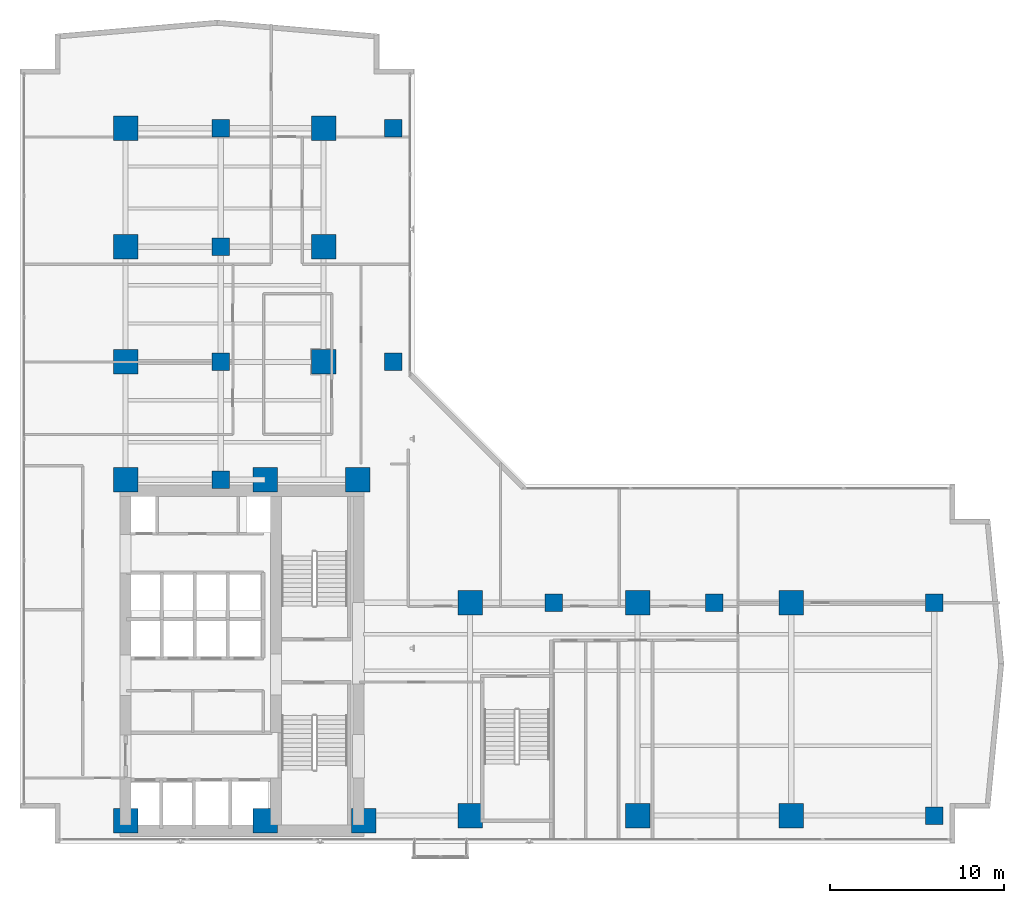
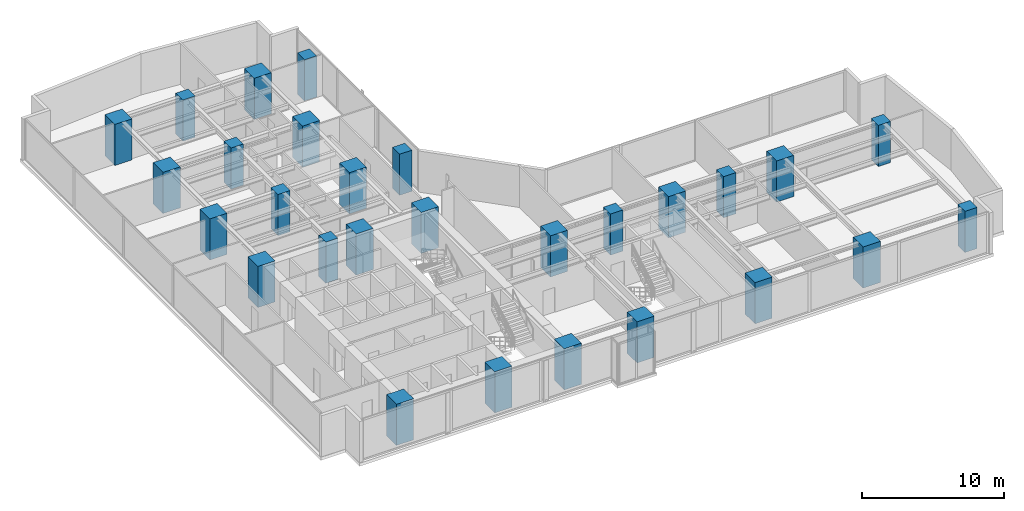
# One storey, part 1 of 26: 28 columns.
"""IFC4 building model written with IfcOpenShell, lengths in metres."""

from ifc_helpers import new_model, si_unit, direction, frame, origin, origin_2d, place, context, subcontext, project, spatial, rectangle, extrude, material, material_profile, profile_set, type_object, element, save


model = new_model("IFC4")

# Units and contexts
model_context = context("Model", 3, precision=1e-05, world=origin(), true_north=direction((0.0, 1.0)))
body_context = subcontext(model_context, "Body", "Model", "MODEL_VIEW")
ifc_project = project(units=[si_unit("LENGTHUNIT", "METRE"), si_unit("AREAUNIT", "SQUARE_METRE"), si_unit("VOLUMEUNIT", "CUBIC_METRE"), si_unit("PLANEANGLEUNIT", "RADIAN"), si_unit("MASSUNIT", "GRAM", prefix="KILO")], contexts=[model_context])

# Site, building, storey
site_placement = place(None, origin())
site = spatial("IfcSite", under=ifc_project, at=site_placement, CompositionType="ELEMENT")
building_placement = place(site_placement, origin())
building = spatial("IfcBuilding", under=site, at=building_placement, Name="Kolvaren Waterfront Exchange", CompositionType="ELEMENT")
storey_placement = place(building_placement, frame((0.0, 0.0, 122.10009765625)))
storey = spatial("IfcBuildingStorey", under=building, at=storey_placement, Name="L31", CompositionType="ELEMENT", Elevation=122.10009765625)

# Columns
ifc_material = material(Name="Concrete C60/75", Category="concrete")
ifc_material_profile_1 = material_profile(ifc_material, rectangle(XDim=1.0, YDim=1.0, at=origin_2d()), Name="RC-COL-1000x1000")
ifc_profile_set_1 = profile_set([ifc_material_profile_1], Name="Concrete C60/75")
column_type_1 = type_object("IfcColumnType", Name="STR-COL-1000-C60", PredefinedType="COLUMN", material=ifc_profile_set_1)
for number, where, z_axis, x_axis, name in (
    (1, (53.800048828125, 5.199951171875, 0.0), (0.0, 0.0, 1.0), (1.0, 0.0, 0.0), "L31 column ZC01"),
    (2, (53.800048828125, 17.39990234375, 0.0), (0.0, 0.0, 1.0), (1.0, 0.0, 0.0), "L31 column ZC02"),
    (3, (22.800048828125, 31.199951171875, 0.0), (0.0, 0.0, 1.0), (1.0, 0.0, 0.0), "L31 column ZC05"),
    (4, (22.800048828125, 44.60009765625, 0.0), (0.0, 0.0, 1.0), (1.0, 0.0, 0.0), "L31 column ZC06"),
    (5, (12.89990234375, 24.449951171875, 0.0), (0.0, 0.0, 1.0), (1.0, 0.0, 0.0), "L31 column TC01"),
    (6, (12.89990234375, 31.199951171875, 0.0), (0.0, 0.0, 1.0), (1.0, 0.0, 0.0), "L31 column TC02"),
    (7, (12.89990234375, 37.800048828125, 0.0), (0.0, 0.0, 1.0), (1.0, 0.0, 0.0), "L31 column TC03"),
    (8, (12.89990234375, 44.60009765625, 0.0), (0.0, 0.0, 1.0), (1.0, 0.0, 0.0), "L31 column TC04"),
    (9, (32.0, 17.39990234375, 0.0), (0.0, 0.0, 1.0), (1.0, 0.0, 0.0), "L31 column TC05"),
    (10, (41.199951171875, 17.39990234375, 0.0), (0.0, 0.0, 1.0), (1.0, 0.0, 0.0), "L31 column TC06"),
):
    element("IfcColumn", number, at=place(storey_placement, frame(where, z_axis=z_axis, x_axis=x_axis)), inside=storey, type_object=column_type_1, Name=name, PredefinedType="COLUMN", context=body_context, shape_type="SweptSolid", body=[
        extrude(rectangle(XDim=1.0, YDim=1.0, at=origin_2d()), origin(), (0.0, 0.0, 1.0), 3.539794921875),
    ])
ifc_material_profile_2 = material_profile(ifc_material, rectangle(XDim=1.39990234375, YDim=1.39990234375, at=origin_2d()), Name="RC-COL-1400x1400")
ifc_profile_set_2 = profile_set([ifc_material_profile_2], Name="Concrete C60/75")
column_type_2 = type_object("IfcColumnType", Name="STR-COL-1400-C60", PredefinedType="COLUMN", material=ifc_profile_set_2)
for number, where, z_axis, x_axis, name in (
    (11, (7.449951171875, 4.89990234375, 0.0), (0.0, 0.0, 1.0), (1.0, 0.0, 0.0), "L31 column MC01"),
    (12, (15.449951171875, 4.89990234375, 0.0), (0.0, 0.0, 1.0), (1.0, 0.0, 0.0), "L31 column MC02"),
    (13, (21.10009765625, 4.89990234375, 0.0), (0.0, 0.0, 1.0), (1.0, 0.0, 0.0), "L31 column MC03"),
    (14, (7.449951171875, 24.449951171875, 0.0), (0.0, 0.0, 1.0), (1.0, 0.0, 0.0), "L31 column MC04"),
    (15, (15.449951171875, 24.449951171875, 0.0), (0.0, 0.0, 1.0), (1.0, 0.0, 0.0), "L31 column MC05"),
    (16, (20.75, 24.449951171875, 0.0), (0.0, 0.0, 1.0), (1.0, 0.0, 0.0), "L31 column MC06"),
    (17, (7.449951171875, 31.199951171875, 0.0), (0.0, 0.0, 1.0), (1.0, 0.0, 0.0), "L31 column NC01"),
    (18, (7.449951171875, 37.800048828125, 0.0), (0.0, 0.0, 1.0), (1.0, 0.0, 0.0), "L31 column NC02"),
    (19, (7.449951171875, 44.60009765625, 0.0), (0.0, 0.0, 1.0), (1.0, 0.0, 0.0), "L31 column NC03"),
    (20, (18.800048828125, 31.199951171875, 0.0), (0.0, 0.0, 1.0), (1.0, 0.0, 0.0), "L31 column NC04"),
    (21, (18.800048828125, 37.800048828125, 0.0), (0.0, 0.0, 1.0), (1.0, 0.0, 0.0), "L31 column NC05"),
    (22, (18.800048828125, 44.60009765625, 0.0), (0.0, 0.0, 1.0), (1.0, 0.0, 0.0), "L31 column NC06"),
    (23, (27.199951171875, 5.199951171875, 0.0), (0.0, 0.0, 1.0), (1.0, 0.0, 0.0), "L31 column EC01"),
    (24, (36.800048828125, 5.199951171875, 0.0), (0.0, 0.0, 1.0), (1.0, 0.0, 0.0), "L31 column EC02"),
    (25, (45.60009765625, 5.199951171875, 0.0), (0.0, 0.0, 1.0), (1.0, 0.0, 0.0), "L31 column EC03"),
    (26, (27.199951171875, 17.39990234375, 0.0), (0.0, 0.0, 1.0), (1.0, 0.0, 0.0), "L31 column EC04"),
    (27, (36.800048828125, 17.39990234375, 0.0), (0.0, 0.0, 1.0), (1.0, 0.0, 0.0), "L31 column EC05"),
    (28, (45.60009765625, 17.39990234375, 0.0), (0.0, 0.0, 1.0), (1.0, 0.0, 0.0), "L31 column EC06"),
):
    element("IfcColumn", number, at=place(storey_placement, frame(where, z_axis=z_axis, x_axis=x_axis)), inside=storey, type_object=column_type_2, Name=name, PredefinedType="COLUMN", context=body_context, shape_type="SweptSolid", body=[
        extrude(rectangle(XDim=1.39990234375, YDim=1.39990234375, at=origin_2d()), origin(), (0.0, 0.0, 1.0), 3.539794921875),
    ])

save(model, "model.ifc")
